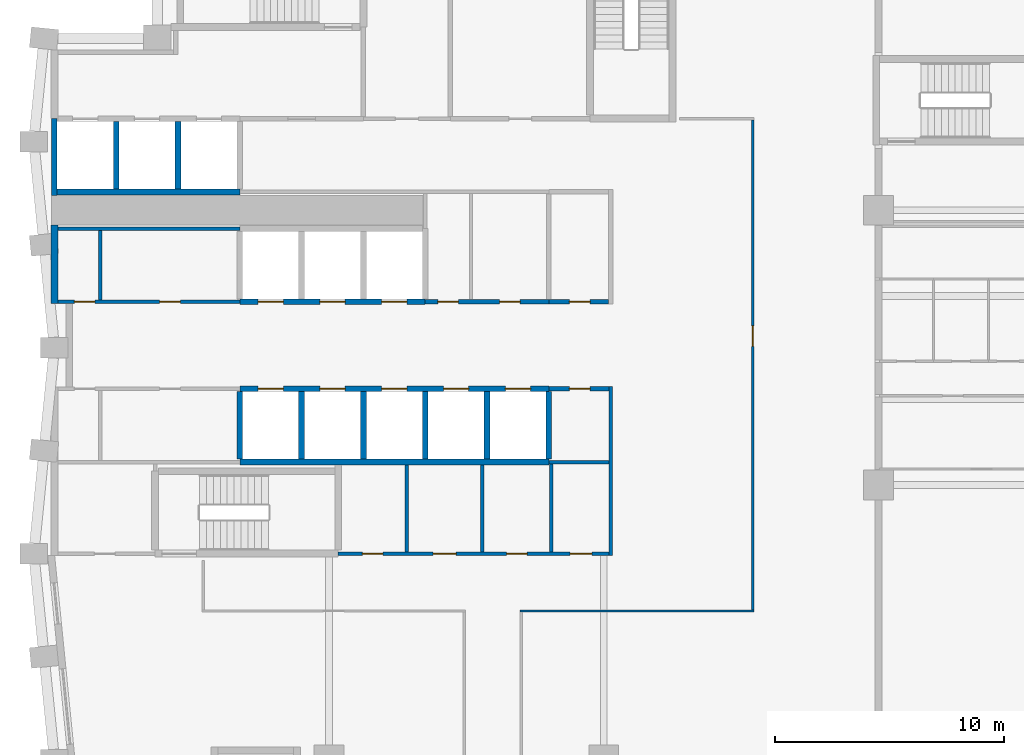
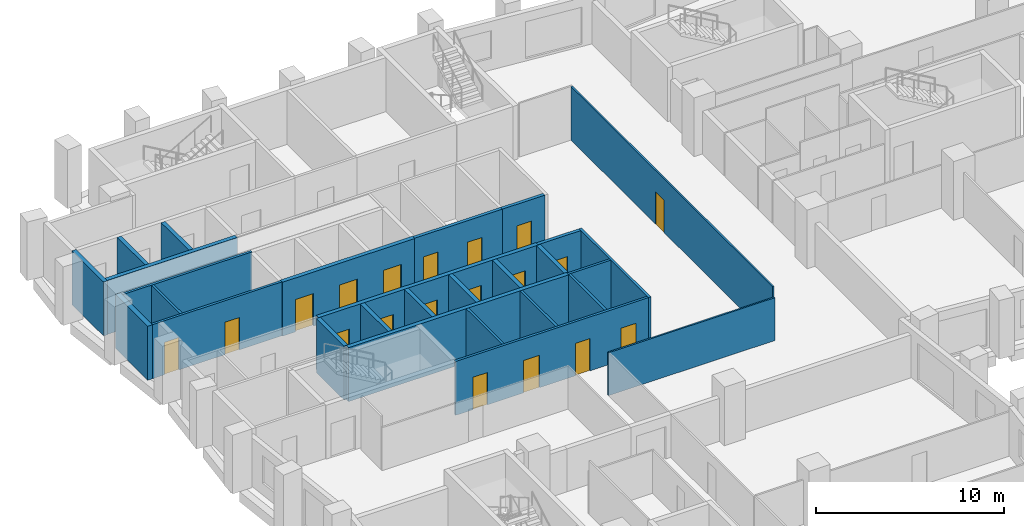
# One storey, part 5 of 11: 28 walls, 19 doors, 19 openings.
"""IFC4 building model written with IfcOpenShell, lengths in metres."""

import ifcopenshell
import ifcopenshell.guid

model = None  # the IFC model being written
_history = None  # IfcOwnerHistory: only IFC2X3 demands one
_inside = {}  # id of a spatial element -> (the spatial element, [elements in it])
_under = {}  # id of a project, library or spatial element -> (it, [spatial elements below it])
_declared = {}  # id of a project -> (the project, [libraries it declares])
_typed = {}  # id of a type object -> (the type object, [elements of that type])
_made_of = {}  # id of a material, layer set ... -> (it, [elements and type objects made of it])


def new_model(schema):
    """Start an empty IFC model of exactly this schema.

    Asked for "IFC4X3", IfcOpenShell would pick the latest addendum, in which some entities
    have other attributes; the version numbers below select the first issue.
    IFC2X3 requires an IfcOwnerHistory on every rooted entity: one is made here for all.
    """
    global model, _history
    if schema == "IFC4X3":
        model = ifcopenshell.file(schema_version=(4, 3, 0, 0))
    else:
        model = ifcopenshell.file(schema=schema)
    _inside.clear()
    _under.clear()
    _declared.clear()
    _typed.clear()
    _made_of.clear()
    _history = None
    if model.schema == "IFC2X3":
        org = make("IfcOrganization", Name="unknown")
        user = make(
            "IfcPersonAndOrganization",
            ThePerson=make("IfcPerson", FamilyName="unknown"),
            TheOrganization=org,
        )
        app = make(
            "IfcApplication",
            ApplicationDeveloper=org,
            Version="unknown",
            ApplicationFullName="unknown",
            ApplicationIdentifier="unknown",
        )
        _history = make(
            "IfcOwnerHistory",
            OwningUser=user,
            OwningApplication=app,
            ChangeAction="ADDED",
            CreationDate=0,
        )
    return model


def make(cls, **values):
    """One entity of the class cls with the attributes given. An attribute that is None is left unset."""
    return model.create_entity(
        cls, **{name: value for name, value in values.items() if value is not None}
    )


def rooted(cls, **values):
    """An entity with a GlobalId (a new one), such as an element, a storey or a relation."""
    return make(cls, GlobalId=ifcopenshell.guid.new(), OwnerHistory=_history, **values)


def si_unit(unit_type, name, prefix=None):
    """IfcSIUnit, for example si_unit("LENGTHUNIT", "METRE", prefix="MILLI")."""
    return make("IfcSIUnit", UnitType=unit_type, Prefix=prefix, Name=name)


def assignment(units):
    """IfcUnitAssignment: the units of a project."""
    return None if units is None else make("IfcUnitAssignment", Units=units)


def point(xyz):
    """IfcCartesianPoint."""
    return None if xyz is None else make("IfcCartesianPoint", Coordinates=xyz)


def direction(xyz):
    """IfcDirection."""
    return None if xyz is None else make("IfcDirection", DirectionRatios=xyz)


def frame(location, z_axis=None, x_axis=None):
    """IfcAxis2Placement3D, a coordinate frame: its origin and axes. An axis left out is left unset."""
    return make(
        "IfcAxis2Placement3D",
        Location=point(location),
        Axis=direction(z_axis),
        RefDirection=direction(x_axis),
    )


def frame_2d(location, x_axis=None):
    """IfcAxis2Placement2D, a coordinate frame in the plane: its origin and x axis."""
    return make(
        "IfcAxis2Placement2D", Location=point(location), RefDirection=direction(x_axis)
    )


def origin():
    """The frame at (0, 0, 0) with its axes left unset."""
    return frame((0.0, 0.0, 0.0))


def place(relative_to, where):
    """IfcLocalPlacement: puts the frame where relative to a parent placement (None: the world)."""
    return make(
        "IfcLocalPlacement", PlacementRelTo=relative_to, RelativePlacement=where
    )


def context(
    kind, dimensions, precision=None, world=None, true_north=None, identifier=None
):
    """IfcGeometricRepresentationContext, for example the 3D "Model" context."""
    return make(
        "IfcGeometricRepresentationContext",
        ContextIdentifier=identifier,
        ContextType=kind,
        CoordinateSpaceDimension=dimensions,
        Precision=precision,
        WorldCoordinateSystem=world,
        TrueNorth=true_north,
    )


def subcontext(parent, identifier, kind, view, scale=None):
    """IfcGeometricRepresentationSubContext, for example "Body" below "Model"."""
    return make(
        "IfcGeometricRepresentationSubContext",
        ContextIdentifier=identifier,
        ContextType=kind,
        ParentContext=parent,
        TargetScale=scale,
        TargetView=view,
    )


def project(units=None, contexts=None):
    """IfcProject with its units and contexts."""
    return rooted(
        "IfcProject",
        Name="project",
        RepresentationContexts=contexts,
        UnitsInContext=assignment(units),
    )


def spatial(cls, under=None, at=None, **own):
    """A site, building, storey or space (cls), placed at a placement, below another one or the project."""
    s = rooted(cls, ObjectPlacement=at, **own)
    if under is not None:
        _under.setdefault(under.id(), (under, []))[1].append(s)
    return s


def profile(cls, at=None, kind="AREA", **sizes):
    """A parametric profile (cls). Its sizes go by their IFC names, for example OverallWidth=200.0."""
    return make(cls, ProfileType=kind, Position=at, **sizes)


def rectangle(**sizes):
    """IfcRectangleProfileDef."""
    return profile("IfcRectangleProfileDef", **sizes)


def extrude(swept, where, along, depth):
    """IfcExtrudedAreaSolid: the profile swept, set in the frame where, extruded along a direction by depth."""
    return make(
        "IfcExtrudedAreaSolid",
        SweptArea=swept,
        Position=where,
        ExtrudedDirection=direction(along),
        Depth=depth,
    )


def shape(context_of_items, identifier, shape_type, items):
    """IfcShapeRepresentation: the items that make up one representation, for example the "Body"."""
    return make(
        "IfcShapeRepresentation",
        ContextOfItems=context_of_items,
        RepresentationIdentifier=identifier,
        RepresentationType=shape_type,
        Items=items,
    )


def material(Name=None, Category=None):
    """IfcMaterial."""
    return make("IfcMaterial", Name=Name, Category=Category)


def layer(
    of_material, thickness, ventilated=None, Name=None, Category=None, Priority=None
):
    """IfcMaterialLayer: one layer of a wall or slab, of a material (None: an air gap)."""
    return make(
        "IfcMaterialLayer",
        Material=of_material,
        LayerThickness=thickness,
        IsVentilated=ventilated,
        Name=Name,
        Category=Category,
        Priority=Priority,
    )


def layer_set(layers, Name=None):
    """IfcMaterialLayerSet."""
    return make("IfcMaterialLayerSet", MaterialLayers=layers, LayerSetName=Name)


def made_of(thing, what):
    """Note that an element or type object is made of a material, layer set ...; save() writes the relation."""
    if what is not None:
        _made_of.setdefault(what.id(), (what, []))[1].append(thing)
    return thing


def type_object(cls, material=None, **own):
    """A type object (cls), such as IfcWallType, which elements share."""
    return made_of(rooted(cls, **own), material)


def element(
    cls,
    number,
    at=None,
    inside=None,
    cuts=None,
    type_object=None,
    material=None,
    context=None,
    identifier="Body",
    shape_type=None,
    held_by="IfcProductDefinitionShape",
    body=None,
    shapes=None,
    **own,
):
    """One element of the class cls, such as IfcWall. Its Tag is "e" and its number.

    at: its placement. inside: the storey or other place that contains it. cuts: it is an
    opening in that element (IfcRelVoidsElement). A single representation is given by context,
    identifier, shape_type and body (its items); several are given by shapes. held_by: the class
    of the entity that holds the representations. save() writes the other relations.
    """
    e = rooted(cls, Tag="e%d" % number, ObjectPlacement=at, **own)
    if body is not None:
        shapes = [shape(context, identifier, shape_type, body)]
    if shapes is not None:
        e.Representation = make(held_by, Representations=shapes)
    if inside is not None:
        _inside.setdefault(inside.id(), (inside, []))[1].append(e)
    if cuts is not None:
        rooted(
            "IfcRelVoidsElement", RelatingBuildingElement=cuts, RelatedOpeningElement=e
        )
    if type_object is not None:
        _typed.setdefault(type_object.id(), (type_object, []))[1].append(e)
    return made_of(e, material)


def fill(opening, filler):
    """IfcRelFillsElement: the door or window that sits in an opening."""
    return rooted(
        "IfcRelFillsElement",
        RelatingOpeningElement=opening,
        RelatedBuildingElement=filler,
    )


def aggregate(whole, parts):
    """IfcRelAggregates: a whole, such as a stair, and the parts it consists of."""
    return rooted("IfcRelAggregates", RelatingObject=whole, RelatedObjects=parts)


def save(model, path):
    """Write the relations noted so far, then the file.

    IfcRelAggregates (storeys below a building ...), IfcRelContainedInSpatialStructure (elements
    in a storey), IfcRelDefinesByType, IfcRelAssociatesMaterial and IfcRelDeclares: one each for
    every whole, place, type object, material and project.
    """
    for whole, parts in _under.values():
        aggregate(whole, parts)
    for where, things in _inside.values():
        rooted(
            "IfcRelContainedInSpatialStructure",
            RelatedElements=things,
            RelatingStructure=where,
        )
    for kind, things in _typed.values():
        rooted("IfcRelDefinesByType", RelatedObjects=things, RelatingType=kind)
    for what, things in _made_of.values():
        rooted("IfcRelAssociatesMaterial", RelatedObjects=things, RelatingMaterial=what)
    for by, libraries in _declared.values():
        rooted("IfcRelDeclares", RelatingContext=by, RelatedDefinitions=libraries)
    model.write(path)


model = new_model("IFC4")

# Units and contexts
model_context = context("Model", 3, precision=1e-05, world=origin(), true_north=direction((0.0, 1.0)))
body_context = subcontext(model_context, "Body", "Model", "MODEL_VIEW")
ifc_project = project(units=[si_unit("LENGTHUNIT", "METRE"), si_unit("AREAUNIT", "SQUARE_METRE"), si_unit("VOLUMEUNIT", "CUBIC_METRE"), si_unit("PLANEANGLEUNIT", "RADIAN"), si_unit("MASSUNIT", "GRAM", prefix="KILO")], contexts=[model_context])

# Site, building, storey
site_placement = place(None, origin())
site = spatial("IfcSite", under=ifc_project, at=site_placement, CompositionType="ELEMENT")
building_placement = place(site_placement, origin())
building = spatial("IfcBuilding", under=site, at=building_placement, Name="Brondeck Convention Tower", CompositionType="ELEMENT")
storey_placement = place(building_placement, frame((0.0, 0.0, 96.10009765625)))
storey = spatial("IfcBuildingStorey", under=building, at=storey_placement, Name="L22", CompositionType="ELEMENT", Elevation=96.10009765625)

# Wall, openings, doors
ifc_material_1 = material(Name="Concrete C70/85", Category="concrete")
ifc_layer_1 = layer(ifc_material_1, 0.14990234375)
ifc_layer_set_1 = layer_set([ifc_layer_1], Name="Core beam-seat wall 150 Concrete C70/85")
wall_type_1 = type_object("IfcWallType", Name="Core beam-seat wall 150 Concrete C70/85", PredefinedType="SHEAR", material=ifc_layer_set_1)
wall_1_placement = place(storey_placement, frame((12.39990234375, 36.0, 0.0), z_axis=(0.0, 0.0, 1.0), x_axis=(1.0, 0.0, 0.0)))
wall_1 = element("IfcWall", 1, at=wall_1_placement, inside=storey, type_object=wall_type_1, Name="L22 core wall", PredefinedType="SHEAR", context=body_context, shape_type="SweptSolid", body=[
    extrude(rectangle(XDim=11.8251953125, YDim=0.14990234375, at=frame_2d((5.91259765625, 0.0))), origin(), (0.0, 0.0, 1.0), 3.5),
])
opening_1_placement = place(wall_1_placement, frame((1.050048828125, 0.0, 0.0)))
opening_1 = element("IfcOpeningElement", 2, at=opening_1_placement, cuts=wall_1, Name="Opening C14-03", PredefinedType="OPENING", context=body_context, shape_type="SweptSolid", body=[
    extrude(rectangle(XDim=0.89990234375, YDim=2.10009765625, at=frame_2d((0.449951171875, 1.050048828125))), frame((0.0, 0.0849609375, 0.0), z_axis=(0.0, -1.0, 0.0), x_axis=(1.0, 0.0, 0.0)), (0.0, 0.0, 1.0), 0.169921875),
])
opening_2_placement = place(wall_1_placement, frame((4.14990234375, 0.0, 0.0)))
opening_2 = element("IfcOpeningElement", 3, at=opening_2_placement, cuts=wall_1, Name="Opening C14-04", PredefinedType="OPENING", context=body_context, shape_type="SweptSolid", body=[
    extrude(rectangle(XDim=1.0, YDim=2.10009765625, at=frame_2d((0.5, 1.050048828125))), frame((0.0, 0.0849609375, 0.0), z_axis=(0.0, -1.0, 0.0), x_axis=(1.0, 0.0, 0.0)), (0.0, 0.0, 1.0), 0.169921875),
])
opening_3_placement = place(wall_1_placement, frame((7.35009765625, 0.0, 0.0)))
opening_3 = element("IfcOpeningElement", 4, at=opening_3_placement, cuts=wall_1, Name="Opening C14-05", PredefinedType="OPENING", context=body_context, shape_type="SweptSolid", body=[
    extrude(rectangle(XDim=0.89990234375, YDim=2.10009765625, at=frame_2d((0.449951171875, 1.050048828125))), frame((0.0, 0.0849609375, 0.0), z_axis=(0.0, -1.0, 0.0), x_axis=(1.0, 0.0, 0.0)), (0.0, 0.0, 1.0), 0.169921875),
])
opening_4_placement = place(wall_1_placement, frame((10.125, 0.0, 0.0)))
opening_4 = element("IfcOpeningElement", 5, at=opening_4_placement, cuts=wall_1, Name="Opening C14-06", PredefinedType="OPENING", context=body_context, shape_type="SweptSolid", body=[
    extrude(rectangle(XDim=0.949951171875, YDim=2.10009765625, at=frame_2d((0.47509765625, 1.050048828125))), frame((0.0, 0.0849609375, 0.0), z_axis=(0.0, -1.0, 0.0), x_axis=(1.0, 0.0, 0.0)), (0.0, 0.0, 1.0), 0.169921875),
])
ifc_material_2 = material(Name="Steel fire door", Category="steel")
door_type_1 = type_object("IfcDoorType", Name="Room door 1000x2100 EI 60", OperationType="NOTDEFINED", PredefinedType="DOOR", material=ifc_material_2)
door_1_placement = place(opening_2_placement, origin())
door_1 = element("IfcDoor", 6, at=door_1_placement, inside=storey, type_object=door_type_1, Name="L22 Room door FR-2", OperationType="SINGLE_SWING_LEFT", OverallHeight=2.10009765625, OverallWidth=1.0, PredefinedType="DOOR", context=body_context, shape_type="SweptSolid", body=[
    extrude(rectangle(XDim=1.0, YDim=2.10009765625, at=frame_2d((0.5, 1.050048828125))), frame((0.0, 0.02490234375, 0.0), z_axis=(0.0, -1.0, 0.0), x_axis=(1.0, 0.0, 0.0)), (0.0, 0.0, 1.0), 0.050048828125),
])
fill(opening_2, door_1)
door_type_2 = type_object("IfcDoorType", Name="Room door 900x2100 EI 60", OperationType="NOTDEFINED", PredefinedType="DOOR", material=ifc_material_2)
door_2_placement = place(opening_1_placement, origin())
door_2 = element("IfcDoor", 7, at=door_2_placement, inside=storey, type_object=door_type_2, Name="L22 Room door FR-1", OperationType="SINGLE_SWING_RIGHT", OverallHeight=2.10009765625, OverallWidth=0.89990234375, PredefinedType="DOOR", context=body_context, shape_type="SweptSolid", body=[
    extrude(rectangle(XDim=0.89990234375, YDim=2.10009765625, at=frame_2d((0.449951171875, 1.050048828125))), frame((0.0, 0.02490234375, 0.0), z_axis=(0.0, -1.0, 0.0), x_axis=(1.0, 0.0, 0.0)), (0.0, 0.0, 1.0), 0.050048828125),
])
fill(opening_1, door_2)
door_3_placement = place(opening_3_placement, origin())
door_3 = element("IfcDoor", 8, at=door_3_placement, inside=storey, type_object=door_type_2, Name="L22 Room door FR-3", OperationType="SINGLE_SWING_RIGHT", OverallHeight=2.10009765625, OverallWidth=0.89990234375, PredefinedType="DOOR", context=body_context, shape_type="SweptSolid", body=[
    extrude(rectangle(XDim=0.89990234375, YDim=2.10009765625, at=frame_2d((0.449951171875, 1.050048828125))), frame((0.0, 0.02490234375, 0.0), z_axis=(0.0, -1.0, 0.0), x_axis=(1.0, 0.0, 0.0)), (0.0, 0.0, 1.0), 0.050048828125),
])
fill(opening_3, door_3)
door_type_3 = type_object("IfcDoorType", Name="Room door 950x2100 EI 60", OperationType="NOTDEFINED", PredefinedType="DOOR", material=ifc_material_2)
door_4_placement = place(opening_4_placement, origin())
door_4 = element("IfcDoor", 9, at=door_4_placement, inside=storey, type_object=door_type_3, Name="L22 Room door FR-4", OperationType="SINGLE_SWING_LEFT", OverallHeight=2.10009765625, OverallWidth=0.949951171875, PredefinedType="DOOR", context=body_context, shape_type="SweptSolid", body=[
    extrude(rectangle(XDim=0.949951171875, YDim=2.10009765625, at=frame_2d((0.47509765625, 1.050048828125))), frame((0.0, 0.02490234375, 0.0), z_axis=(0.0, -1.0, 0.0), x_axis=(1.0, 0.0, 0.0)), (0.0, 0.0, 1.0), 0.050048828125),
])
fill(opening_4, door_4)

# Walls
ifc_layer_2 = layer(ifc_material_1, 0.300048828125)
ifc_layer_set_2 = layer_set([ifc_layer_2], Name="Core outer wall 300 Concrete C70/85")
wall_type_2 = type_object("IfcWallType", Name="Core outer wall 300 Concrete C70/85", PredefinedType="SHEAR", material=ifc_layer_set_2)
wall_2_placement = place(storey_placement, frame((0.0, 46.925048828125, 0.0), z_axis=(0.0, 0.0, 1.0), x_axis=(0.0, 1.0, 0.0)))
element("IfcWall", 10, at=wall_2_placement, inside=storey, type_object=wall_type_2, Name="L22 core wall", PredefinedType="SHEAR", context=body_context, shape_type="SweptSolid", body=[
    extrude(rectangle(XDim=3.425048828125, YDim=0.300048828125, at=frame_2d((1.71240234375, 0.0))), origin(), (0.0, 0.0, 1.0), 3.5),
])
ifc_material_3 = material(Name="Fire-rated gypsum board partition")
ifc_layer_3 = layer(ifc_material_3, 0.14990234375)
ifc_layer_set_3 = layer_set([ifc_layer_3], Name="Core partition 150 EI 60")
wall_type_3 = type_object("IfcWallType", Name="Core partition 150 EI 60", PredefinedType="PARTITIONING", material=ifc_layer_set_3)
wall_3_placement = place(storey_placement, frame((21.60009765625, 40.0, 0.0), z_axis=(0.0, 0.0, 1.0), x_axis=(1.0, 0.0, 0.0)))
element("IfcWall", 11, at=wall_3_placement, inside=storey, type_object=wall_type_3, Name="L22 core wall", PredefinedType="PARTITIONING", context=body_context, shape_type="SweptSolid", body=[
    extrude(rectangle(XDim=2.625, YDim=0.14990234375, at=frame_2d((1.3125, 0.0))), origin(), (0.0, 0.0, 1.0), 3.5),
])

# Wall, openings, doors
wall_4_placement = place(storey_placement, frame((0.14990234375, 47.0, 0.0), z_axis=(0.0, 0.0, 1.0), x_axis=(1.0, 0.0, 0.0)))
wall_4 = element("IfcWall", 12, at=wall_4_placement, inside=storey, type_object=wall_type_3, Name="L22 core wall", PredefinedType="PARTITIONING", context=body_context, shape_type="SweptSolid", body=[
    extrude(rectangle(XDim=7.9501953125, YDim=0.14990234375, at=frame_2d((3.97509765625, 0.0))), origin(), (0.0, 0.0, 1.0), 3.5),
])
opening_5_placement = place(wall_4_placement, frame((0.72509765625, 0.0, 0.0)))
opening_5 = element("IfcOpeningElement", 13, at=opening_5_placement, cuts=wall_4, Name="Opening C14-08", PredefinedType="OPENING", context=body_context, shape_type="SweptSolid", body=[
    extrude(rectangle(XDim=0.89990234375, YDim=2.10009765625, at=frame_2d((0.449951171875, 1.050048828125))), frame((0.0, 0.0849609375, 0.0), z_axis=(0.0, -1.0, 0.0), x_axis=(1.0, 0.0, 0.0)), (0.0, 0.0, 1.0), 0.169921875),
])
opening_6_placement = place(wall_4_placement, frame((4.449951171875, 0.0, 0.0)))
opening_6 = element("IfcOpeningElement", 14, at=opening_6_placement, cuts=wall_4, Name="Opening C14-09", PredefinedType="OPENING", context=body_context, shape_type="SweptSolid", body=[
    extrude(rectangle(XDim=0.89990234375, YDim=2.10009765625, at=frame_2d((0.449951171875, 1.050048828125))), frame((0.0, 0.0849609375, 0.0), z_axis=(0.0, -1.0, 0.0), x_axis=(1.0, 0.0, 0.0)), (0.0, 0.0, 1.0), 0.169921875),
])
door_5_placement = place(opening_5_placement, origin())
door_5 = element("IfcDoor", 15, at=door_5_placement, inside=storey, type_object=door_type_2, Name="L22 Room door FZ-N-0-1", OperationType="SINGLE_SWING_RIGHT", OverallHeight=2.10009765625, OverallWidth=0.89990234375, PredefinedType="DOOR", context=body_context, shape_type="SweptSolid", body=[
    extrude(rectangle(XDim=0.89990234375, YDim=2.10009765625, at=frame_2d((0.449951171875, 1.050048828125))), frame((0.0, 0.02490234375, 0.0), z_axis=(0.0, -1.0, 0.0), x_axis=(1.0, 0.0, 0.0)), (0.0, 0.0, 1.0), 0.050048828125),
])
fill(opening_5, door_5)
door_6_placement = place(opening_6_placement, origin())
door_6 = element("IfcDoor", 16, at=door_6_placement, inside=storey, type_object=door_type_2, Name="L22 Room door FZ-N-0-2", OperationType="SINGLE_SWING_LEFT", OverallHeight=2.10009765625, OverallWidth=0.89990234375, PredefinedType="DOOR", context=body_context, shape_type="SweptSolid", body=[
    extrude(rectangle(XDim=0.89990234375, YDim=2.10009765625, at=frame_2d((0.449951171875, 1.050048828125))), frame((0.0, 0.02490234375, 0.0), z_axis=(0.0, -1.0, 0.0), x_axis=(1.0, 0.0, 0.0)), (0.0, 0.0, 1.0), 0.050048828125),
])
fill(opening_6, door_6)

# Walls
wall_5_placement = place(storey_placement, frame((0.14990234375, 50.199951171875, 0.0), z_axis=(0.0, 0.0, 1.0), x_axis=(1.0, 0.0, 0.0)))
element("IfcWall", 17, at=wall_5_placement, inside=storey, type_object=wall_type_3, Name="L22 core wall", PredefinedType="PARTITIONING", context=body_context, shape_type="SweptSolid", body=[
    extrude(rectangle(XDim=7.9501953125, YDim=0.14990234375, at=frame_2d((3.97509765625, 0.0))), origin(), (0.0, 0.0, 1.0), 3.5),
])
wall_6_placement = place(storey_placement, frame((2.0, 47.074951171875, 0.0), z_axis=(0.0, 0.0, 1.0), x_axis=(0.0, 1.0, 0.0)))
element("IfcWall", 18, at=wall_6_placement, inside=storey, type_object=wall_type_3, Name="L22 core wall", PredefinedType="PARTITIONING", context=body_context, shape_type="SweptSolid", body=[
    extrude(rectangle(XDim=3.050048828125, YDim=0.14990234375, at=frame_2d((1.52490234375, 0.0))), origin(), (0.0, 0.0, 1.0), 3.5),
])
for number, where, z_axis, x_axis, name in (
    (19, (15.39990234375, 36.074951171875, 0.0), (0.0, 0.0, 1.0), (0.0, 1.0, 0.0), "L22 core wall"),
    (20, (18.699951171875, 36.074951171875, 0.0), (0.0, 0.0, 1.0), (0.0, 1.0, 0.0), "L22 core wall"),
):
    element("IfcWall", number, at=place(storey_placement, frame(where, z_axis=z_axis, x_axis=x_axis)), inside=storey, type_object=wall_type_3, Name=name, PredefinedType="PARTITIONING", context=body_context, shape_type="SweptSolid", body=[
        extrude(rectangle(XDim=3.800048828125, YDim=0.14990234375, at=frame_2d((1.89990234375, 0.0))), origin(), (0.0, 0.0, 1.0), 3.5),
    ])
wall_7_placement = place(storey_placement, frame((21.699951171875, 36.074951171875, 0.0), z_axis=(0.0, 0.0, 1.0), x_axis=(0.0, 1.0, 0.0)))
element("IfcWall", 21, at=wall_7_placement, inside=storey, type_object=wall_type_3, Name="L22 core wall", PredefinedType="PARTITIONING", context=body_context, shape_type="SweptSolid", body=[
    extrude(rectangle(XDim=3.85009765625, YDim=0.14990234375, at=frame_2d((1.925048828125, 0.0))), origin(), (0.0, 0.0, 1.0), 3.5),
])
wall_8_placement = place(storey_placement, frame((24.300048828125, 35.925048828125, 0.0), z_axis=(0.0, 0.0, 1.0), x_axis=(0.0, 1.0, 0.0)))
element("IfcWall", 22, at=wall_8_placement, inside=storey, type_object=wall_type_3, Name="L22 core wall", PredefinedType="PARTITIONING", context=body_context, shape_type="SweptSolid", body=[
    extrude(rectangle(XDim=7.375, YDim=0.14990234375, at=frame_2d((3.6875, 0.0))), origin(), (0.0, 0.0, 1.0), 3.5),
])

# Wall, opening, door
ifc_layer_4 = layer(ifc_material_3, 0.199951171875)
ifc_layer_set_4 = layer_set([ifc_layer_4], Name="Lift lobby wall 200 EI 60")
wall_type_4 = type_object("IfcWallType", Name="Lift lobby wall 200 EI 60", PredefinedType="PARTITIONING", material=ifc_layer_set_4)
wall_9_placement = place(storey_placement, frame((21.60009765625, 43.199951171875, 0.0), z_axis=(0.0, 0.0, 1.0), x_axis=(1.0, 0.0, 0.0)))
wall_9 = element("IfcWall", 23, at=wall_9_placement, inside=storey, type_object=wall_type_4, Name="L22 core wall", PredefinedType="PARTITIONING", context=body_context, shape_type="SweptSolid", body=[
    extrude(rectangle(XDim=2.625, YDim=0.199951171875, at=frame_2d((1.3125, 0.0))), origin(), (0.0, 0.0, 1.0), 3.5),
])
opening_7_placement = place(wall_9_placement, frame((0.89990234375, 0.0, 0.0)))
opening_7 = element("IfcOpeningElement", 24, at=opening_7_placement, cuts=wall_9, Name="Opening C14-14", PredefinedType="OPENING", context=body_context, shape_type="SweptSolid", body=[
    extrude(rectangle(XDim=0.89990234375, YDim=2.10009765625, at=frame_2d((0.449951171875, 1.050048828125))), frame((0.0, 0.10986328125, 0.0), z_axis=(0.0, -1.0, 0.0), x_axis=(1.0, 0.0, 0.0)), (0.0, 0.0, 1.0), 0.219970703125),
])
door_7_placement = place(opening_7_placement, origin())
door_7 = element("IfcDoor", 25, at=door_7_placement, inside=storey, type_object=door_type_2, Name="L22 Room door FZ-S-21.6-1", OperationType="SINGLE_SWING_RIGHT", OverallHeight=2.10009765625, OverallWidth=0.89990234375, PredefinedType="DOOR", context=body_context, shape_type="SweptSolid", body=[
    extrude(rectangle(XDim=0.89990234375, YDim=2.10009765625, at=frame_2d((0.449951171875, 1.050048828125))), frame((0.0, 0.02490234375, 0.0), z_axis=(0.0, -1.0, 0.0), x_axis=(1.0, 0.0, 0.0)), (0.0, 0.0, 1.0), 0.050048828125),
])
fill(opening_7, door_7)

# Wall, openings, doors
wall_10_placement = place(storey_placement, frame((16.199951171875, 47.0, 0.0), z_axis=(0.0, 0.0, 1.0), x_axis=(1.0, 0.0, 0.0)))
wall_10 = element("IfcWall", 26, at=wall_10_placement, inside=storey, type_object=wall_type_4, Name="L22 core wall", PredefinedType="PARTITIONING", context=body_context, shape_type="SweptSolid", body=[
    extrude(rectangle(XDim=5.400146484375, YDim=0.199951171875, at=frame_2d((2.7001953125, 0.0))), origin(), (0.0, 0.0, 1.0), 3.5),
])
opening_8_placement = place(wall_10_placement, frame((0.550048828125, 0.0, 0.0)))
opening_8 = element("IfcOpeningElement", 27, at=opening_8_placement, cuts=wall_10, Name="Opening C14-10", PredefinedType="OPENING", context=body_context, shape_type="SweptSolid", body=[
    extrude(rectangle(XDim=0.89990234375, YDim=2.10009765625, at=frame_2d((0.449951171875, 1.050048828125))), frame((0.0, 0.10986328125, 0.0), z_axis=(0.0, -1.0, 0.0), x_axis=(1.0, 0.0, 0.0)), (0.0, 0.0, 1.0), 0.219970703125),
])
opening_9_placement = place(wall_10_placement, frame((3.25, 0.0, 0.0)))
opening_9 = element("IfcOpeningElement", 28, at=opening_9_placement, cuts=wall_10, Name="Opening C14-11", PredefinedType="OPENING", context=body_context, shape_type="SweptSolid", body=[
    extrude(rectangle(XDim=0.89990234375, YDim=2.10009765625, at=frame_2d((0.449951171875, 1.050048828125))), frame((0.0, 0.10986328125, 0.0), z_axis=(0.0, -1.0, 0.0), x_axis=(1.0, 0.0, 0.0)), (0.0, 0.0, 1.0), 0.219970703125),
])
door_8_placement = place(opening_8_placement, origin())
door_8 = element("IfcDoor", 29, at=door_8_placement, inside=storey, type_object=door_type_2, Name="L22 Room door FZ-N-16.2-1", OperationType="SINGLE_SWING_LEFT", OverallHeight=2.10009765625, OverallWidth=0.89990234375, PredefinedType="DOOR", context=body_context, shape_type="SweptSolid", body=[
    extrude(rectangle(XDim=0.89990234375, YDim=2.10009765625, at=frame_2d((0.449951171875, 1.050048828125))), frame((0.0, 0.02490234375, 0.0), z_axis=(0.0, -1.0, 0.0), x_axis=(1.0, 0.0, 0.0)), (0.0, 0.0, 1.0), 0.050048828125),
])
fill(opening_8, door_8)
door_9_placement = place(opening_9_placement, origin())
door_9 = element("IfcDoor", 30, at=door_9_placement, inside=storey, type_object=door_type_2, Name="L22 Room door FZ-N-16.2-2", OperationType="SINGLE_SWING_RIGHT", OverallHeight=2.10009765625, OverallWidth=0.89990234375, PredefinedType="DOOR", context=body_context, shape_type="SweptSolid", body=[
    extrude(rectangle(XDim=0.89990234375, YDim=2.10009765625, at=frame_2d((0.449951171875, 1.050048828125))), frame((0.0, 0.02490234375, 0.0), z_axis=(0.0, -1.0, 0.0), x_axis=(1.0, 0.0, 0.0)), (0.0, 0.0, 1.0), 0.050048828125),
])
fill(opening_9, door_9)

# Wall
ifc_layer_5 = layer(ifc_material_1, 0.25)
ifc_layer_set_5 = layer_set([ifc_layer_5], Name="Lift shaft wall 250 Concrete C70/85")
wall_type_5 = type_object("IfcWallType", Name="Lift shaft wall 250 Concrete C70/85", PredefinedType="SHEAR", material=ifc_layer_set_5)
wall_11_placement = place(storey_placement, frame((8.10009765625, 40.0, 0.0), z_axis=(0.0, 0.0, 1.0), x_axis=(1.0, 0.0, 0.0)))
element("IfcWall", 31, at=wall_11_placement, inside=storey, type_object=wall_type_5, Name="L22 core wall", PredefinedType="SHEAR", context=body_context, shape_type="SweptSolid", body=[
    extrude(rectangle(XDim=13.5, YDim=0.25, at=frame_2d((6.75, 0.0))), origin(), (0.0, 0.0, 1.0), 3.5),
])

# Wall, openings, doors
wall_12_placement = place(storey_placement, frame((8.10009765625, 43.199951171875, 0.0), z_axis=(0.0, 0.0, 1.0), x_axis=(1.0, 0.0, 0.0)))
wall_12 = element("IfcWall", 32, at=wall_12_placement, inside=storey, type_object=wall_type_5, Name="L22 core wall", PredefinedType="SHEAR", context=body_context, shape_type="SweptSolid", body=[
    extrude(rectangle(XDim=13.5, YDim=0.25, at=frame_2d((6.75, 0.0))), origin(), (0.0, 0.0, 1.0), 3.5),
])
opening_10_placement = place(wall_12_placement, frame((0.800048828125, 0.0, 0.0)))
opening_10 = element("IfcOpeningElement", 33, at=opening_10_placement, cuts=wall_12, Name="Opening C14-27", PredefinedType="OPENING", context=body_context, shape_type="SweptSolid", body=[
    extrude(rectangle(XDim=1.10009765625, YDim=2.10009765625, at=frame_2d((0.550048828125, 1.050048828125))), frame((0.0, 0.135009765625, 0.0), z_axis=(0.0, -1.0, 0.0), x_axis=(1.0, 0.0, 0.0)), (0.0, 0.0, 1.0), 0.27001953125),
])
opening_11_placement = place(wall_12_placement, frame((3.5, 0.0, 0.0)))
opening_11 = element("IfcOpeningElement", 34, at=opening_11_placement, cuts=wall_12, Name="Opening C14-28", PredefinedType="OPENING", context=body_context, shape_type="SweptSolid", body=[
    extrude(rectangle(XDim=1.10009765625, YDim=2.10009765625, at=frame_2d((0.550048828125, 1.050048828125))), frame((0.0, 0.135009765625, 0.0), z_axis=(0.0, -1.0, 0.0), x_axis=(1.0, 0.0, 0.0)), (0.0, 0.0, 1.0), 0.27001953125),
])
opening_12_placement = place(wall_12_placement, frame((6.199951171875, 0.0, 0.0)))
opening_12 = element("IfcOpeningElement", 35, at=opening_12_placement, cuts=wall_12, Name="Opening C14-29", PredefinedType="OPENING", context=body_context, shape_type="SweptSolid", body=[
    extrude(rectangle(XDim=1.10009765625, YDim=2.10009765625, at=frame_2d((0.550048828125, 1.050048828125))), frame((0.0, 0.135009765625, 0.0), z_axis=(0.0, -1.0, 0.0), x_axis=(1.0, 0.0, 0.0)), (0.0, 0.0, 1.0), 0.27001953125),
])
opening_13_placement = place(wall_12_placement, frame((8.89990234375, 0.0, 0.0)))
opening_13 = element("IfcOpeningElement", 36, at=opening_13_placement, cuts=wall_12, Name="Opening C14-33", PredefinedType="OPENING", context=body_context, shape_type="SweptSolid", body=[
    extrude(rectangle(XDim=1.10009765625, YDim=2.10009765625, at=frame_2d((0.550048828125, 1.050048828125))), frame((0.0, 0.135009765625, 0.0), z_axis=(0.0, -1.0, 0.0), x_axis=(1.0, 0.0, 0.0)), (0.0, 0.0, 1.0), 0.27001953125),
])
opening_14_placement = place(wall_12_placement, frame((11.60009765625, 0.0, 0.0)))
opening_14 = element("IfcOpeningElement", 37, at=opening_14_placement, cuts=wall_12, Name="Opening C14-34", PredefinedType="OPENING", context=body_context, shape_type="SweptSolid", body=[
    extrude(rectangle(XDim=1.10009765625, YDim=2.10009765625, at=frame_2d((0.550048828125, 1.050048828125))), frame((0.0, 0.135009765625, 0.0), z_axis=(0.0, -1.0, 0.0), x_axis=(1.0, 0.0, 0.0)), (0.0, 0.0, 1.0), 0.27001953125),
])
ifc_material_4 = material(Name="Stainless steel lift door", Category="steel")
door_type_4 = type_object("IfcDoorType", Name="Lift landing door 1100x2100 EI 180", OperationType="DOUBLE_DOOR_SLIDING", PredefinedType="DOOR", material=ifc_material_4)
door_10_placement = place(opening_10_placement, origin())
door_10 = element("IfcDoor", 38, at=door_10_placement, inside=storey, type_object=door_type_4, Name="L22 Lift landing door LR1", OperationType="DOUBLE_DOOR_SLIDING", OverallHeight=2.10009765625, OverallWidth=1.10009765625, PredefinedType="DOOR", context=body_context, shape_type="SweptSolid", body=[
    extrude(rectangle(XDim=1.10009765625, YDim=2.10009765625, at=frame_2d((0.550048828125, 1.050048828125))), frame((0.0, 0.02490234375, 0.0), z_axis=(0.0, -1.0, 0.0), x_axis=(1.0, 0.0, 0.0)), (0.0, 0.0, 1.0), 0.050048828125),
])
fill(opening_10, door_10)
door_11_placement = place(opening_11_placement, origin())
door_11 = element("IfcDoor", 39, at=door_11_placement, inside=storey, type_object=door_type_4, Name="L22 Lift landing door LR2", OperationType="DOUBLE_DOOR_SLIDING", OverallHeight=2.10009765625, OverallWidth=1.10009765625, PredefinedType="DOOR", context=body_context, shape_type="SweptSolid", body=[
    extrude(rectangle(XDim=1.10009765625, YDim=2.10009765625, at=frame_2d((0.550048828125, 1.050048828125))), frame((0.0, 0.02490234375, 0.0), z_axis=(0.0, -1.0, 0.0), x_axis=(1.0, 0.0, 0.0)), (0.0, 0.0, 1.0), 0.050048828125),
])
fill(opening_11, door_11)
door_12_placement = place(opening_12_placement, origin())
door_12 = element("IfcDoor", 40, at=door_12_placement, inside=storey, type_object=door_type_4, Name="L22 Lift landing door LR3", OperationType="DOUBLE_DOOR_SLIDING", OverallHeight=2.10009765625, OverallWidth=1.10009765625, PredefinedType="DOOR", context=body_context, shape_type="SweptSolid", body=[
    extrude(rectangle(XDim=1.10009765625, YDim=2.10009765625, at=frame_2d((0.550048828125, 1.050048828125))), frame((0.0, 0.02490234375, 0.0), z_axis=(0.0, -1.0, 0.0), x_axis=(1.0, 0.0, 0.0)), (0.0, 0.0, 1.0), 0.050048828125),
])
fill(opening_12, door_12)
door_13_placement = place(opening_13_placement, origin())
door_13 = element("IfcDoor", 41, at=door_13_placement, inside=storey, type_object=door_type_4, Name="L22 Lift landing door SH1", OperationType="DOUBLE_DOOR_SLIDING", OverallHeight=2.10009765625, OverallWidth=1.10009765625, PredefinedType="DOOR", context=body_context, shape_type="SweptSolid", body=[
    extrude(rectangle(XDim=1.10009765625, YDim=2.10009765625, at=frame_2d((0.550048828125, 1.050048828125))), frame((0.0, 0.02490234375, 0.0), z_axis=(0.0, -1.0, 0.0), x_axis=(1.0, 0.0, 0.0)), (0.0, 0.0, 1.0), 0.050048828125),
])
fill(opening_13, door_13)
door_14_placement = place(opening_14_placement, origin())
door_14 = element("IfcDoor", 42, at=door_14_placement, inside=storey, type_object=door_type_4, Name="L22 Lift landing door SH2", OperationType="DOUBLE_DOOR_SLIDING", OverallHeight=2.10009765625, OverallWidth=1.10009765625, PredefinedType="DOOR", context=body_context, shape_type="SweptSolid", body=[
    extrude(rectangle(XDim=1.10009765625, YDim=2.10009765625, at=frame_2d((0.550048828125, 1.050048828125))), frame((0.0, 0.02490234375, 0.0), z_axis=(0.0, -1.0, 0.0), x_axis=(1.0, 0.0, 0.0)), (0.0, 0.0, 1.0), 0.050048828125),
])
fill(opening_14, door_14)

wall_13_placement = place(storey_placement, frame((8.10009765625, 47.0, 0.0), z_axis=(0.0, 0.0, 1.0), x_axis=(1.0, 0.0, 0.0)))
wall_13 = element("IfcWall", 43, at=wall_13_placement, inside=storey, type_object=wall_type_5, Name="L22 core wall", PredefinedType="SHEAR", context=body_context, shape_type="SweptSolid", body=[
    extrude(rectangle(XDim=8.099853515625, YDim=0.25, at=frame_2d((4.0498046875, 0.0))), origin(), (0.0, 0.0, 1.0), 3.5),
])
opening_15_placement = place(wall_13_placement, frame((0.800048828125, 0.0, 0.0)))
opening_15 = element("IfcOpeningElement", 44, at=opening_15_placement, cuts=wall_13, Name="Opening C14-30", PredefinedType="OPENING", context=body_context, shape_type="SweptSolid", body=[
    extrude(rectangle(XDim=1.10009765625, YDim=2.10009765625, at=frame_2d((0.550048828125, 1.050048828125))), frame((0.0, 0.135009765625, 0.0), z_axis=(0.0, -1.0, 0.0), x_axis=(1.0, 0.0, 0.0)), (0.0, 0.0, 1.0), 0.27001953125),
])
opening_16_placement = place(wall_13_placement, frame((3.5, 0.0, 0.0)))
opening_16 = element("IfcOpeningElement", 45, at=opening_16_placement, cuts=wall_13, Name="Opening C14-31", PredefinedType="OPENING", context=body_context, shape_type="SweptSolid", body=[
    extrude(rectangle(XDim=1.10009765625, YDim=2.10009765625, at=frame_2d((0.550048828125, 1.050048828125))), frame((0.0, 0.135009765625, 0.0), z_axis=(0.0, -1.0, 0.0), x_axis=(1.0, 0.0, 0.0)), (0.0, 0.0, 1.0), 0.27001953125),
])
opening_17_placement = place(wall_13_placement, frame((6.199951171875, 0.0, 0.0)))
opening_17 = element("IfcOpeningElement", 46, at=opening_17_placement, cuts=wall_13, Name="Opening C14-32", PredefinedType="OPENING", context=body_context, shape_type="SweptSolid", body=[
    extrude(rectangle(XDim=1.10009765625, YDim=2.10009765625, at=frame_2d((0.550048828125, 1.050048828125))), frame((0.0, 0.135009765625, 0.0), z_axis=(0.0, -1.0, 0.0), x_axis=(1.0, 0.0, 0.0)), (0.0, 0.0, 1.0), 0.27001953125),
])
door_15_placement = place(opening_15_placement, origin())
door_15 = element("IfcDoor", 47, at=door_15_placement, inside=storey, type_object=door_type_4, Name="L22 Lift landing door LR4", OperationType="DOUBLE_DOOR_SLIDING", OverallHeight=2.10009765625, OverallWidth=1.10009765625, PredefinedType="DOOR", context=body_context, shape_type="SweptSolid", body=[
    extrude(rectangle(XDim=1.10009765625, YDim=2.10009765625, at=frame_2d((0.550048828125, 1.050048828125))), frame((0.0, 0.02490234375, 0.0), z_axis=(0.0, -1.0, 0.0), x_axis=(1.0, 0.0, 0.0)), (0.0, 0.0, 1.0), 0.050048828125),
])
fill(opening_15, door_15)
door_16_placement = place(opening_16_placement, origin())
door_16 = element("IfcDoor", 48, at=door_16_placement, inside=storey, type_object=door_type_4, Name="L22 Lift landing door LR5", OperationType="DOUBLE_DOOR_SLIDING", OverallHeight=2.10009765625, OverallWidth=1.10009765625, PredefinedType="DOOR", context=body_context, shape_type="SweptSolid", body=[
    extrude(rectangle(XDim=1.10009765625, YDim=2.10009765625, at=frame_2d((0.550048828125, 1.050048828125))), frame((0.0, 0.02490234375, 0.0), z_axis=(0.0, -1.0, 0.0), x_axis=(1.0, 0.0, 0.0)), (0.0, 0.0, 1.0), 0.050048828125),
])
fill(opening_16, door_16)
door_17_placement = place(opening_17_placement, origin())
door_17 = element("IfcDoor", 49, at=door_17_placement, inside=storey, type_object=door_type_4, Name="L22 Lift landing door LR6", OperationType="DOUBLE_DOOR_SLIDING", OverallHeight=2.10009765625, OverallWidth=1.10009765625, PredefinedType="DOOR", context=body_context, shape_type="SweptSolid", body=[
    extrude(rectangle(XDim=1.10009765625, YDim=2.10009765625, at=frame_2d((0.550048828125, 1.050048828125))), frame((0.0, 0.02490234375, 0.0), z_axis=(0.0, -1.0, 0.0), x_axis=(1.0, 0.0, 0.0)), (0.0, 0.0, 1.0), 0.050048828125),
])
fill(opening_17, door_17)

# Walls
wall_14_placement = place(storey_placement, frame((0.125, 51.800048828125, 0.0), z_axis=(0.0, 0.0, 1.0), x_axis=(1.0, 0.0, 0.0)))
element("IfcWall", 50, at=wall_14_placement, inside=storey, type_object=wall_type_5, Name="L22 core wall", PredefinedType="SHEAR", context=body_context, shape_type="SweptSolid", body=[
    extrude(rectangle(XDim=7.97509765625, YDim=0.25, at=frame_2d((3.987548828125, 0.0))), origin(), (0.0, 0.0, 1.0), 3.5),
])
wall_15_placement = place(storey_placement, frame((0.0, 51.64990234375, 0.0), z_axis=(0.0, 0.0, 1.0), x_axis=(0.0, 1.0, 0.0)))
element("IfcWall", 51, at=wall_15_placement, inside=storey, type_object=wall_type_5, Name="L22 core wall", PredefinedType="SHEAR", context=body_context, shape_type="SweptSolid", body=[
    extrude(rectangle(XDim=3.35009765625, YDim=0.25, at=frame_2d((1.675048828125, 0.0))), origin(), (0.0, 0.0, 1.0), 3.5),
])
for number, where, z_axis, x_axis, name in (
    (52, (2.699951171875, 51.925048828125, 0.0), (0.0, 0.0, 1.0), (0.0, 1.0, 0.0), "L22 core wall"),
    (53, (5.39990234375, 51.925048828125, 0.0), (0.0, 0.0, 1.0), (0.0, 1.0, 0.0), "L22 core wall"),
    (54, (8.10009765625, 40.125, 0.0), (0.0, 0.0, 1.0), (0.0, 1.0, 0.0), "L22 core wall"),
    (55, (10.800048828125, 40.125, 0.0), (0.0, 0.0, 1.0), (0.0, 1.0, 0.0), "L22 core wall"),
    (56, (13.5, 40.125, 0.0), (0.0, 0.0, 1.0), (0.0, 1.0, 0.0), "L22 core wall"),
    (57, (16.199951171875, 40.125, 0.0), (0.0, 0.0, 1.0), (0.0, 1.0, 0.0), "L22 core wall"),
    (58, (18.89990234375, 40.125, 0.0), (0.0, 0.0, 1.0), (0.0, 1.0, 0.0), "L22 core wall"),
    (59, (21.60009765625, 40.125, 0.0), (0.0, 0.0, 1.0), (0.0, 1.0, 0.0), "L22 core wall"),
):
    element("IfcWall", number, at=place(storey_placement, frame(where, z_axis=z_axis, x_axis=x_axis)), inside=storey, type_object=wall_type_5, Name=name, PredefinedType="SHEAR", context=body_context, shape_type="SweptSolid", body=[
        extrude(rectangle(XDim=2.949951171875, YDim=0.25, at=frame_2d((1.47509765625, 0.0))), origin(), (0.0, 0.0, 1.0), 3.5),
    ])

# Wall, opening, door
ifc_layer_6 = layer(ifc_material_3, 0.199951171875)
ifc_layer_set_6 = layer_set([ifc_layer_6], Name="Riser wall 200 EI 120")
wall_type_6 = type_object("IfcWallType", Name="Riser wall 200 EI 120", PredefinedType="PARTITIONING", material=ifc_layer_set_6)
wall_16_placement = place(storey_placement, frame((21.60009765625, 47.0, 0.0), z_axis=(0.0, 0.0, 1.0), x_axis=(1.0, 0.0, 0.0)))
wall_16 = element("IfcWall", 60, at=wall_16_placement, inside=storey, type_object=wall_type_6, Name="L22 core wall", PredefinedType="PARTITIONING", context=body_context, shape_type="SweptSolid", body=[
    extrude(rectangle(XDim=2.599853515625, YDim=0.199951171875, at=frame_2d((1.2998046875, 0.0))), origin(), (0.0, 0.0, 1.0), 3.5),
])
opening_18_placement = place(wall_16_placement, frame((0.89990234375, 0.0, 0.0)))
opening_18 = element("IfcOpeningElement", 61, at=opening_18_placement, cuts=wall_16, Name="Opening C14-02", PredefinedType="OPENING", context=body_context, shape_type="SweptSolid", body=[
    extrude(rectangle(XDim=0.89990234375, YDim=2.10009765625, at=frame_2d((0.449951171875, 1.050048828125))), frame((0.0, 0.10986328125, 0.0), z_axis=(0.0, -1.0, 0.0), x_axis=(1.0, 0.0, 0.0)), (0.0, 0.0, 1.0), 0.219970703125),
])
door_type_5 = type_object("IfcDoorType", Name="Riser door 900x2100 EI 120", OperationType="NOTDEFINED", PredefinedType="DOOR", material=ifc_material_2)
door_18_placement = place(opening_18_placement, origin())
door_18 = element("IfcDoor", 62, at=door_18_placement, inside=storey, type_object=door_type_5, Name="L22 Riser door EN-1", OperationType="SINGLE_SWING_LEFT", OverallHeight=2.10009765625, OverallWidth=0.89990234375, PredefinedType="DOOR", context=body_context, shape_type="SweptSolid", body=[
    extrude(rectangle(XDim=0.89990234375, YDim=2.10009765625, at=frame_2d((0.449951171875, 1.050048828125))), frame((0.0, 0.02490234375, 0.0), z_axis=(0.0, -1.0, 0.0), x_axis=(1.0, 0.0, 0.0)), (0.0, 0.0, 1.0), 0.050048828125),
])
fill(opening_18, door_18)

# Wall
ifc_material_5 = material(Name="Gypsum board partition on steel studs", Category="steel")
ifc_layer_7 = layer(ifc_material_5, 0.10009765625)
ifc_layer_set_7 = layer_set([ifc_layer_7], Name="Room partition 100")
wall_type_7 = type_object("IfcWallType", Name="Room partition 100", PredefinedType="PARTITIONING", material=ifc_layer_set_7)
wall_17_placement = place(storey_placement, frame((30.550048828125, 33.5, 0.0), z_axis=(0.0, 0.0, 1.0), x_axis=(-1.0, 0.0, 0.0)))
element("IfcWall", 63, at=wall_17_placement, inside=storey, type_object=wall_type_7, Name="FLR-L22-W027", PredefinedType="PARTITIONING", context=body_context, shape_type="SweptSolid", body=[
    extrude(rectangle(XDim=10.199951171875, YDim=0.10009765625, at=frame_2d((5.10009765625, 0.0))), origin(), (0.0, 0.0, 1.0), 2.77978515625),
])

# Wall, opening, door
wall_18_placement = place(storey_placement, frame((30.5, 54.949951171875, 0.0), z_axis=(0.0, 0.0, 1.0), x_axis=(0.0, -1.0, 0.0)))
wall_18 = element("IfcWall", 64, at=wall_18_placement, inside=storey, type_object=wall_type_7, Name="FLR-L22-W077", PredefinedType="PARTITIONING", context=body_context, shape_type="SweptSolid", body=[
    extrude(rectangle(XDim=21.39990234375, YDim=0.10009765625, at=frame_2d((10.699951171875, 0.0))), origin(), (0.0, 0.0, 1.0), 3.47998046875),
])
opening_19_placement = place(wall_18_placement, frame((9.0, 0.0, 0.0)))
opening_19 = element("IfcOpeningElement", 65, at=opening_19_placement, cuts=wall_18, Name="Opening OF-A-023", PredefinedType="OPENING", context=body_context, shape_type="SweptSolid", body=[
    extrude(rectangle(XDim=0.89990234375, YDim=2.10009765625, at=frame_2d((0.449951171875, 1.050048828125))), frame((0.0, 0.06005859375, 0.0), z_axis=(0.0, -1.0, 0.0), x_axis=(1.0, 0.0, 0.0)), (0.0, 0.0, 1.0), 0.1201171875),
])
ifc_material_6 = material(Name="Solid timber door leaf", Category="wood")
door_type_6 = type_object("IfcDoorType", Name="Single door 900", OperationType="NOTDEFINED", PredefinedType="DOOR", material=ifc_material_6)
door_19_placement = place(opening_19_placement, origin())
door_19 = element("IfcDoor", 66, at=door_19_placement, inside=storey, type_object=door_type_6, Name="Door OF-A-023", OperationType="SINGLE_SWING_LEFT", OverallHeight=2.10009765625, OverallWidth=0.89990234375, PredefinedType="DOOR", context=body_context, shape_type="SweptSolid", body=[
    extrude(rectangle(XDim=0.89990234375, YDim=2.10009765625, at=frame_2d((0.449951171875, 1.050048828125))), frame((0.0, 0.02490234375, 0.0), z_axis=(0.0, -1.0, 0.0), x_axis=(1.0, 0.0, 0.0)), (0.0, 0.0, 1.0), 0.050048828125),
])
fill(opening_19, door_19)

save(model, "model.ifc")
